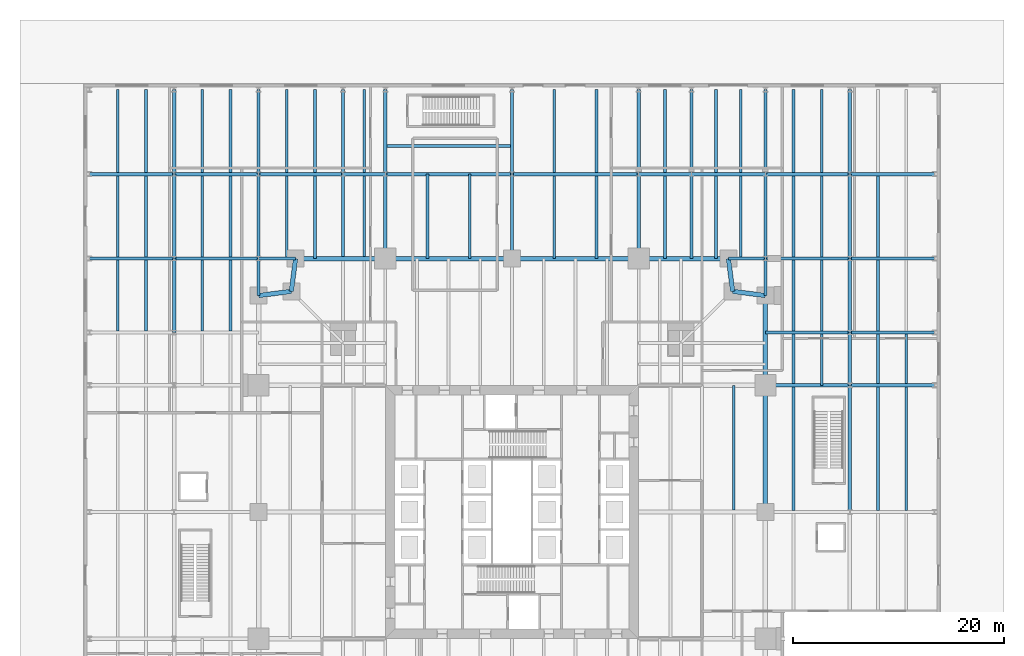
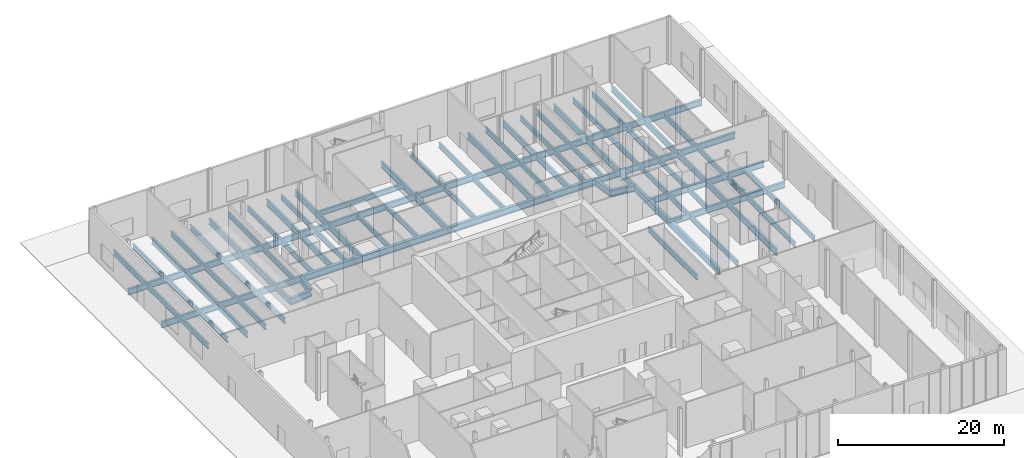
# One storey, part 9 of 20: 101 beams.
"""IFC4 building model written with IfcOpenShell, lengths in metres."""

from ifc_helpers import new_model, si_unit, direction, frame, origin, origin_2d, place, context, subcontext, project, spatial, i_section, extrude, material, material_profile, profile_set, type_object, element, save


model = new_model("IFC4")

# Units and contexts
model_context = context("Model", 3, precision=1e-05, world=origin(), true_north=direction((0.0, 1.0)))
body_context = subcontext(model_context, "Body", "Model", "MODEL_VIEW")
ifc_project = project(units=[si_unit("LENGTHUNIT", "METRE"), si_unit("AREAUNIT", "SQUARE_METRE"), si_unit("VOLUMEUNIT", "CUBIC_METRE"), si_unit("PLANEANGLEUNIT", "RADIAN"), si_unit("MASSUNIT", "GRAM", prefix="KILO")], contexts=[model_context])

# Site, building, storey
site_placement = place(None, origin())
site = spatial("IfcSite", under=ifc_project, at=site_placement, CompositionType="ELEMENT")
building_placement = place(site_placement, origin())
building = spatial("IfcBuilding", under=site, at=building_placement, Name="Fenwick Lantern Interchange", CompositionType="ELEMENT")
storey_placement = place(building_placement, origin())
storey = spatial("IfcBuildingStorey", under=building, at=storey_placement, Name="L00", CompositionType="ELEMENT", Elevation=0.0)

# Beams
ifc_material = material(Name="Steel ASTM A992 Grade 50", Category="steel")
ifc_material_profile_1 = material_profile(ifc_material, i_section(OverallWidth=0.4267578125, OverallDepth=0.975341796875, WebThickness=0.031005859375, FlangeThickness=0.055908203125, at=origin_2d()), Name="W36X395")
ifc_profile_set_1 = profile_set([ifc_material_profile_1], Name="Steel ASTM A992 Grade 50")
beam_type_1 = type_object("IfcBeamType", Name="EDGE BEAM W36X395", PredefinedType="SPANDREL", material=ifc_profile_set_1)
beam_1_placement = place(storey_placement, frame((49.0, 25.0, -0.78759765625), z_axis=(0.0, 1.0, 0.0), x_axis=(-1.0, 0.0, 0.0)))
element("IfcBeam", 1, at=beam_1_placement, inside=storey, type_object=beam_type_1, Name="L00/FR/E/EB3", PredefinedType="SPANDREL", context=body_context, shape_type="SweptSolid", body=[
    extrude(i_section(OverallWidth=0.4267578125, OverallDepth=0.975341796875, WebThickness=0.031005859375, FlangeThickness=0.055908203125, at=origin_2d()), origin(), (0.0, 0.0, 1.0), 12.0),
])
beam_2_placement = place(storey_placement, frame((49.0, 37.0, -0.78759765625), z_axis=(0.0, 1.0, 0.0), x_axis=(-1.0, 0.0, 0.0)))
element("IfcBeam", 2, at=beam_2_placement, inside=storey, type_object=beam_type_1, Name="L00/FR/E/EB4", PredefinedType="SPANDREL", context=body_context, shape_type="SweptSolid", body=[
    extrude(i_section(OverallWidth=0.4267578125, OverallDepth=0.975341796875, WebThickness=0.031005859375, FlangeThickness=0.055908203125, at=origin_2d()), origin(), (0.0, 0.0, 1.0), 8.5),
])
for number, where, z_axis, x_axis, name in (
    (3, (49.0, 45.5, -0.78759765625), (-0.991782342897, 0.127936641807, 0.0), (-0.127936641807, -0.991782342897, 0.0), "L00/FR/E/EBR1"),
    (4, (45.89990234375, 45.89990234375, -0.78759765625), (-0.127936641807, 0.991782342897, 0.0), (-0.991782342897, -0.127936641807, 0.0), "L00/FR/E/EBR2"),
):
    element("IfcBeam", number, at=place(storey_placement, frame(where, z_axis=z_axis, x_axis=x_axis)), inside=storey, type_object=beam_type_1, Name=name, PredefinedType="SPANDREL", context=body_context, shape_type="SweptSolid", body=[
        extrude(i_section(OverallWidth=0.4267578125, OverallDepth=0.975341796875, WebThickness=0.031005859375, FlangeThickness=0.055908203125, at=origin_2d()), origin(), (0.0, 0.0, 1.0), 3.125732421875),
    ])
beam_3_placement = place(storey_placement, frame((45.5, 49.0, -0.78759765625), z_axis=(-1.0, 0.0, 0.0), x_axis=(0.0, -1.0, 0.0)))
element("IfcBeam", 5, at=beam_3_placement, inside=storey, type_object=beam_type_1, Name="L00/FR/N/EB1", PredefinedType="SPANDREL", context=body_context, shape_type="SweptSolid", body=[
    extrude(i_section(OverallWidth=0.4267578125, OverallDepth=0.975341796875, WebThickness=0.031005859375, FlangeThickness=0.055908203125, at=origin_2d()), origin(), (0.0, 0.0, 1.0), 8.5),
])
for number, where, z_axis, x_axis, name in (
    (6, (37.0, 49.0, -0.78759765625), (-1.0, 0.0, 0.0), (0.0, -1.0, 0.0), "L00/FR/N/EB2"),
    (7, (25.0, 49.0, -0.78759765625), (-1.0, 0.0, 0.0), (0.0, -1.0, 0.0), "L00/FR/N/EB3"),
):
    element("IfcBeam", number, at=place(storey_placement, frame(where, z_axis=z_axis, x_axis=x_axis)), inside=storey, type_object=beam_type_1, Name=name, PredefinedType="SPANDREL", context=body_context, shape_type="SweptSolid", body=[
        extrude(i_section(OverallWidth=0.4267578125, OverallDepth=0.975341796875, WebThickness=0.031005859375, FlangeThickness=0.055908203125, at=origin_2d()), origin(), (0.0, 0.0, 1.0), 12.0),
    ])
beam_4_placement = place(storey_placement, frame((13.0, 49.0, -0.78759765625), z_axis=(-1.0, 0.0, 0.0), x_axis=(0.0, -1.0, 0.0)))
element("IfcBeam", 8, at=beam_4_placement, inside=storey, type_object=beam_type_1, Name="L00/FR/N/EB4", PredefinedType="SPANDREL", context=body_context, shape_type="SweptSolid", body=[
    extrude(i_section(OverallWidth=0.4267578125, OverallDepth=0.975341796875, WebThickness=0.031005859375, FlangeThickness=0.055908203125, at=origin_2d()), origin(), (0.0, 0.0, 1.0), 8.5),
])
for number, where, z_axis, x_axis, name in (
    (9, (4.5, 49.0, -0.78759765625), (-0.127936641807, -0.991782342897, 0.0), (0.991782342897, -0.127936641807, 0.0), "L00/FR/N/EBR1"),
    (10, (4.10009765625, 45.89990234375, -0.78759765625), (-0.991782342897, -0.127936641807, 0.0), (0.127936641807, -0.991782342897, 0.0), "L00/FR/N/EBR2"),
):
    element("IfcBeam", number, at=place(storey_placement, frame(where, z_axis=z_axis, x_axis=x_axis)), inside=storey, type_object=beam_type_1, Name=name, PredefinedType="SPANDREL", context=body_context, shape_type="SweptSolid", body=[
        extrude(i_section(OverallWidth=0.4267578125, OverallDepth=0.975341796875, WebThickness=0.031005859375, FlangeThickness=0.055908203125, at=origin_2d()), origin(), (0.0, 0.0, 1.0), 3.125732421875),
    ])
ifc_material_profile_2 = material_profile(ifc_material, i_section(OverallWidth=0.2666015625, OverallDepth=0.77978515625, WebThickness=0.0166015625, FlangeThickness=0.030029296875, at=origin_2d()), Name="W30X148")
ifc_profile_set_2 = profile_set([ifc_material_profile_2], Name="Steel ASTM A992 Grade 50")
beam_type_2 = type_object("IfcBeamType", Name="FLOOR BEAM W30X148", PredefinedType="BEAM", material=ifc_profile_set_2)
beam_5_placement = place(storey_placement, frame((46.0, 25.20458984375, -0.68994140625), z_axis=(0.0, 1.0, 0.0), x_axis=(-1.0, 0.0, 0.0)))
element("IfcBeam", 11, at=beam_5_placement, inside=storey, type_object=beam_type_2, Name="L00/FR/E/B04", PredefinedType="BEAM", context=body_context, shape_type="SweptSolid", body=[
    extrude(i_section(OverallWidth=0.2666015625, OverallDepth=0.77978515625, WebThickness=0.0166015625, FlangeThickness=0.030029296875, at=origin_2d()), origin(), (0.0, 0.0, 1.0), 11.79541015625),
])
ifc_material_profile_3 = material_profile(ifc_material, i_section(OverallWidth=0.3046875, OverallDepth=0.911865234375, WebThickness=0.015869140625, FlangeThickness=0.02392578125, at=origin_2d()), Name="W36X150")
ifc_profile_set_3 = profile_set([ifc_material_profile_3], Name="Steel ASTM A992 Grade 50")
beam_type_3 = type_object("IfcBeamType", Name="MOMENT-CONNECTED PODIUM GIRDER W36X150", PredefinedType="BEAM", material=ifc_profile_set_3)
for number, where, z_axis, x_axis, name in (
    (12, (49.0, 37.0, -0.755859375), (1.0, 0.0, 0.0), (0.0, 1.0, 0.0), "L00/PF/G031"),
    (13, (57.0, 37.0, -0.755859375), (1.0, 0.0, 0.0), (0.0, 1.0, 0.0), "L00/PF/G032"),
    (14, (49.0, 42.0, -0.755859375), (1.0, 0.0, 0.0), (0.0, 1.0, 0.0), "L00/PF/G035"),
    (15, (57.0, 42.0, -0.755859375), (1.0, 0.0, 0.0), (0.0, 1.0, 0.0), "L00/PF/G036"),
    (16, (-15.0, 49.0, -0.755859375), (1.0, 0.0, 0.0), (0.0, 1.0, 0.0), "L00/PF/G037"),
    (17, (-7.0, 49.0, -0.755859375), (1.0, 0.0, 0.0), (0.0, 1.0, 0.0), "L00/PF/G038"),
):
    element("IfcBeam", number, at=place(storey_placement, frame(where, z_axis=z_axis, x_axis=x_axis)), inside=storey, type_object=beam_type_3, Name=name, PredefinedType="BEAM", context=body_context, shape_type="SweptSolid", body=[
        extrude(i_section(OverallWidth=0.3046875, OverallDepth=0.911865234375, WebThickness=0.015869140625, FlangeThickness=0.02392578125, at=origin_2d()), origin(), (0.0, 0.0, 1.0), 8.0),
    ])
for number, where, z_axis, x_axis, name in (
    (18, (1.0, 49.0, -0.755859375), (1.0, 0.0, 0.0), (0.0, 1.0, 0.0), "L00/PF/G039"),
    (19, (45.5, 49.0, -0.755859375), (1.0, 0.0, 0.0), (0.0, 1.0, 0.0), "L00/PF/G040"),
):
    element("IfcBeam", number, at=place(storey_placement, frame(where, z_axis=z_axis, x_axis=x_axis)), inside=storey, type_object=beam_type_3, Name=name, PredefinedType="BEAM", context=body_context, shape_type="SweptSolid", body=[
        extrude(i_section(OverallWidth=0.3046875, OverallDepth=0.911865234375, WebThickness=0.015869140625, FlangeThickness=0.02392578125, at=origin_2d()), origin(), (0.0, 0.0, 1.0), 3.5),
    ])
for number, where, z_axis, x_axis, name in (
    (20, (49.0, 49.0, -0.755859375), (1.0, 0.0, 0.0), (0.0, 1.0, 0.0), "L00/PF/G041"),
    (21, (57.0, 49.0, -0.755859375), (1.0, 0.0, 0.0), (0.0, 1.0, 0.0), "L00/PF/G042"),
    (22, (-15.0, 57.0, -0.755859375), (1.0, 0.0, 0.0), (0.0, 1.0, 0.0), "L00/PF/G043"),
    (23, (-7.0, 57.0, -0.755859375), (1.0, 0.0, 0.0), (0.0, 1.0, 0.0), "L00/PF/G044"),
    (24, (1.0, 57.0, -0.755859375), (1.0, 0.0, 0.0), (0.0, 1.0, 0.0), "L00/PF/G045"),
):
    element("IfcBeam", number, at=place(storey_placement, frame(where, z_axis=z_axis, x_axis=x_axis)), inside=storey, type_object=beam_type_3, Name=name, PredefinedType="BEAM", context=body_context, shape_type="SweptSolid", body=[
        extrude(i_section(OverallWidth=0.3046875, OverallDepth=0.911865234375, WebThickness=0.015869140625, FlangeThickness=0.02392578125, at=origin_2d()), origin(), (0.0, 0.0, 1.0), 8.0),
    ])
beam_6_placement = place(storey_placement, frame((9.0, 57.0, -0.755859375), z_axis=(1.0, 0.0, 0.0), x_axis=(0.0, 1.0, 0.0)))
element("IfcBeam", 25, at=beam_6_placement, inside=storey, type_object=beam_type_3, Name="L00/PF/G046", PredefinedType="BEAM", context=body_context, shape_type="SweptSolid", body=[
    extrude(i_section(OverallWidth=0.3046875, OverallDepth=0.911865234375, WebThickness=0.015869140625, FlangeThickness=0.02392578125, at=origin_2d()), origin(), (0.0, 0.0, 1.0), 4.0),
])
beam_7_placement = place(storey_placement, frame((37.0, 57.0, -0.755859375), z_axis=(1.0, 0.0, 0.0), x_axis=(0.0, 1.0, 0.0)))
element("IfcBeam", 26, at=beam_7_placement, inside=storey, type_object=beam_type_3, Name="L00/PF/G049", PredefinedType="BEAM", context=body_context, shape_type="SweptSolid", body=[
    extrude(i_section(OverallWidth=0.3046875, OverallDepth=0.911865234375, WebThickness=0.015869140625, FlangeThickness=0.02392578125, at=origin_2d()), origin(), (0.0, 0.0, 1.0), 5.0),
])
beam_8_placement = place(storey_placement, frame((42.0, 57.0, -0.755859375), z_axis=(1.0, 0.0, 0.0), x_axis=(0.0, 1.0, 0.0)))
element("IfcBeam", 27, at=beam_8_placement, inside=storey, type_object=beam_type_3, Name="L00/PF/G050", PredefinedType="BEAM", context=body_context, shape_type="SweptSolid", body=[
    extrude(i_section(OverallWidth=0.3046875, OverallDepth=0.911865234375, WebThickness=0.015869140625, FlangeThickness=0.02392578125, at=origin_2d()), origin(), (0.0, 0.0, 1.0), 7.0),
])
for number, where, z_axis, x_axis, name in (
    (28, (49.0, 57.0, -0.755859375), (1.0, 0.0, 0.0), (0.0, 1.0, 0.0), "L00/PF/G051"),
    (29, (57.0, 57.0, -0.755859375), (1.0, 0.0, 0.0), (0.0, 1.0, 0.0), "L00/PF/G052"),
):
    element("IfcBeam", number, at=place(storey_placement, frame(where, z_axis=z_axis, x_axis=x_axis)), inside=storey, type_object=beam_type_3, Name=name, PredefinedType="BEAM", context=body_context, shape_type="SweptSolid", body=[
        extrude(i_section(OverallWidth=0.3046875, OverallDepth=0.911865234375, WebThickness=0.015869140625, FlangeThickness=0.02392578125, at=origin_2d()), origin(), (0.0, 0.0, 1.0), 8.0),
    ])
beam_9_placement = place(storey_placement, frame((-7.0, 42.0, -0.755859375), z_axis=(0.0, 1.0, 0.0), x_axis=(-1.0, 0.0, 0.0)))
element("IfcBeam", 30, at=beam_9_placement, inside=storey, type_object=beam_type_3, Name="L00/PF/G060", PredefinedType="BEAM", context=body_context, shape_type="SweptSolid", body=[
    extrude(i_section(OverallWidth=0.3046875, OverallDepth=0.911865234375, WebThickness=0.015869140625, FlangeThickness=0.02392578125, at=origin_2d()), origin(), (0.0, 0.0, 1.0), 7.0),
])
for number, where, z_axis, x_axis, name in (
    (31, (-7.0, 49.0, -0.755859375), (0.0, 1.0, 0.0), (-1.0, 0.0, 0.0), "L00/PF/G061"),
    (32, (-7.0, 57.0, -0.755859375), (0.0, 1.0, 0.0), (-1.0, 0.0, 0.0), "L00/PF/G062"),
):
    element("IfcBeam", number, at=place(storey_placement, frame(where, z_axis=z_axis, x_axis=x_axis)), inside=storey, type_object=beam_type_3, Name=name, PredefinedType="BEAM", context=body_context, shape_type="SweptSolid", body=[
        extrude(i_section(OverallWidth=0.3046875, OverallDepth=0.911865234375, WebThickness=0.015869140625, FlangeThickness=0.02392578125, at=origin_2d()), origin(), (0.0, 0.0, 1.0), 8.0),
    ])
beam_10_placement = place(storey_placement, frame((1.0, 45.5, -0.755859375), z_axis=(0.0, 1.0, 0.0), x_axis=(-1.0, 0.0, 0.0)))
element("IfcBeam", 33, at=beam_10_placement, inside=storey, type_object=beam_type_3, Name="L00/PF/G066", PredefinedType="BEAM", context=body_context, shape_type="SweptSolid", body=[
    extrude(i_section(OverallWidth=0.3046875, OverallDepth=0.911865234375, WebThickness=0.015869140625, FlangeThickness=0.02392578125, at=origin_2d()), origin(), (0.0, 0.0, 1.0), 3.5),
])
for number, where, z_axis, x_axis, name in (
    (34, (1.0, 49.0, -0.755859375), (0.0, 1.0, 0.0), (-1.0, 0.0, 0.0), "L00/PF/G067"),
    (35, (1.0, 57.0, -0.755859375), (0.0, 1.0, 0.0), (-1.0, 0.0, 0.0), "L00/PF/G068"),
):
    element("IfcBeam", number, at=place(storey_placement, frame(where, z_axis=z_axis, x_axis=x_axis)), inside=storey, type_object=beam_type_3, Name=name, PredefinedType="BEAM", context=body_context, shape_type="SweptSolid", body=[
        extrude(i_section(OverallWidth=0.3046875, OverallDepth=0.911865234375, WebThickness=0.015869140625, FlangeThickness=0.02392578125, at=origin_2d()), origin(), (0.0, 0.0, 1.0), 8.0),
    ])
beam_11_placement = place(storey_placement, frame((9.0, 49.21337890625, -0.755859375), z_axis=(0.0, 1.0, 0.0), x_axis=(-1.0, 0.0, 0.0)))
element("IfcBeam", 36, at=beam_11_placement, inside=storey, type_object=beam_type_3, Name="L00/PF/G071", PredefinedType="BEAM", context=body_context, shape_type="SweptSolid", body=[
    extrude(i_section(OverallWidth=0.3046875, OverallDepth=0.911865234375, WebThickness=0.015869140625, FlangeThickness=0.02392578125, at=origin_2d()), origin(), (0.0, 0.0, 1.0), 7.78662109375),
])
for number, where, z_axis, x_axis, name in (
    (37, (9.0, 57.0, -0.755859375), (0.0, 1.0, 0.0), (-1.0, 0.0, 0.0), "L00/PF/G072"),
    (38, (13.0, 49.0, -0.755859375), (0.0, 1.0, 0.0), (-1.0, 0.0, 0.0), "L00/PF/G075"),
    (39, (13.0, 57.0, -0.755859375), (0.0, 1.0, 0.0), (-1.0, 0.0, 0.0), "L00/PF/G076"),
    (40, (25.0, 49.0, -0.755859375), (0.0, 1.0, 0.0), (-1.0, 0.0, 0.0), "L00/PF/G079"),
    (41, (25.0, 57.0, -0.755859375), (0.0, 1.0, 0.0), (-1.0, 0.0, 0.0), "L00/PF/G080"),
    (42, (37.0, 49.0, -0.755859375), (0.0, 1.0, 0.0), (-1.0, 0.0, 0.0), "L00/PF/G083"),
    (43, (37.0, 57.0, -0.755859375), (0.0, 1.0, 0.0), (-1.0, 0.0, 0.0), "L00/PF/G084"),
    (44, (42.0, 49.0, -0.755859375), (0.0, 1.0, 0.0), (-1.0, 0.0, 0.0), "L00/PF/G087"),
    (45, (42.0, 57.0, -0.755859375), (0.0, 1.0, 0.0), (-1.0, 0.0, 0.0), "L00/PF/G088"),
):
    element("IfcBeam", number, at=place(storey_placement, frame(where, z_axis=z_axis, x_axis=x_axis)), inside=storey, type_object=beam_type_3, Name=name, PredefinedType="BEAM", context=body_context, shape_type="SweptSolid", body=[
        extrude(i_section(OverallWidth=0.3046875, OverallDepth=0.911865234375, WebThickness=0.015869140625, FlangeThickness=0.02392578125, at=origin_2d()), origin(), (0.0, 0.0, 1.0), 8.0),
    ])
beam_12_placement = place(storey_placement, frame((49.0, 45.5, -0.755859375), z_axis=(0.0, 1.0, 0.0), x_axis=(-1.0, 0.0, 0.0)))
element("IfcBeam", 46, at=beam_12_placement, inside=storey, type_object=beam_type_3, Name="L00/PF/G092", PredefinedType="BEAM", context=body_context, shape_type="SweptSolid", body=[
    extrude(i_section(OverallWidth=0.3046875, OverallDepth=0.911865234375, WebThickness=0.015869140625, FlangeThickness=0.02392578125, at=origin_2d()), origin(), (0.0, 0.0, 1.0), 3.5),
])
for number, where, z_axis, x_axis, name in (
    (47, (49.0, 49.0, -0.755859375), (0.0, 1.0, 0.0), (-1.0, 0.0, 0.0), "L00/PF/G093"),
    (48, (49.0, 57.0, -0.755859375), (0.0, 1.0, 0.0), (-1.0, 0.0, 0.0), "L00/PF/G094"),
):
    element("IfcBeam", number, at=place(storey_placement, frame(where, z_axis=z_axis, x_axis=x_axis)), inside=storey, type_object=beam_type_3, Name=name, PredefinedType="BEAM", context=body_context, shape_type="SweptSolid", body=[
        extrude(i_section(OverallWidth=0.3046875, OverallDepth=0.911865234375, WebThickness=0.015869140625, FlangeThickness=0.02392578125, at=origin_2d()), origin(), (0.0, 0.0, 1.0), 8.0),
    ])
beam_13_placement = place(storey_placement, frame((57.0, 37.0, -0.755859375), z_axis=(0.0, 1.0, 0.0), x_axis=(-1.0, 0.0, 0.0)))
element("IfcBeam", 49, at=beam_13_placement, inside=storey, type_object=beam_type_3, Name="L00/PF/G101", PredefinedType="BEAM", context=body_context, shape_type="SweptSolid", body=[
    extrude(i_section(OverallWidth=0.3046875, OverallDepth=0.911865234375, WebThickness=0.015869140625, FlangeThickness=0.02392578125, at=origin_2d()), origin(), (0.0, 0.0, 1.0), 5.0),
])
beam_14_placement = place(storey_placement, frame((57.0, 42.0, -0.755859375), z_axis=(0.0, 1.0, 0.0), x_axis=(-1.0, 0.0, 0.0)))
element("IfcBeam", 50, at=beam_14_placement, inside=storey, type_object=beam_type_3, Name="L00/PF/G102", PredefinedType="BEAM", context=body_context, shape_type="SweptSolid", body=[
    extrude(i_section(OverallWidth=0.3046875, OverallDepth=0.911865234375, WebThickness=0.015869140625, FlangeThickness=0.02392578125, at=origin_2d()), origin(), (0.0, 0.0, 1.0), 7.0),
])
for number, where, z_axis, x_axis, name in (
    (51, (57.0, 49.0, -0.755859375), (0.0, 1.0, 0.0), (-1.0, 0.0, 0.0), "L00/PF/G103"),
    (52, (57.0, 57.0, -0.755859375), (0.0, 1.0, 0.0), (-1.0, 0.0, 0.0), "L00/PF/G104"),
):
    element("IfcBeam", number, at=place(storey_placement, frame(where, z_axis=z_axis, x_axis=x_axis)), inside=storey, type_object=beam_type_3, Name=name, PredefinedType="BEAM", context=body_context, shape_type="SweptSolid", body=[
        extrude(i_section(OverallWidth=0.3046875, OverallDepth=0.911865234375, WebThickness=0.015869140625, FlangeThickness=0.02392578125, at=origin_2d()), origin(), (0.0, 0.0, 1.0), 8.0),
    ])
ifc_material_profile_4 = material_profile(ifc_material, i_section(OverallWidth=0.307373046875, OverallDepth=0.927001953125, WebThickness=0.01953125, FlangeThickness=0.031982421875, at=origin_2d()), Name="W36X194")
ifc_profile_set_4 = profile_set([ifc_material_profile_4], Name="Steel ASTM A992 Grade 50")
beam_type_4 = type_object("IfcBeamType", Name="MOMENT-CONNECTED PODIUM GIRDER W36X194", PredefinedType="BEAM", material=ifc_profile_set_4)
for number, where, z_axis, x_axis, name in (
    (53, (13.0, 57.0, -0.763671875), (1.0, 0.0, 0.0), (0.0, 1.0, 0.0), "L00/PF/G047"),
    (54, (25.0, 57.0, -0.763671875), (1.0, 0.0, 0.0), (0.0, 1.0, 0.0), "L00/PF/G048"),
    (55, (57.0, 25.0, -0.763671875), (0.0, 1.0, 0.0), (-1.0, 0.0, 0.0), "L00/PF/G100"),
):
    element("IfcBeam", number, at=place(storey_placement, frame(where, z_axis=z_axis, x_axis=x_axis)), inside=storey, type_object=beam_type_4, Name=name, PredefinedType="BEAM", context=body_context, shape_type="SweptSolid", body=[
        extrude(i_section(OverallWidth=0.307373046875, OverallDepth=0.927001953125, WebThickness=0.01953125, FlangeThickness=0.031982421875, at=origin_2d()), origin(), (0.0, 0.0, 1.0), 12.0),
    ])
ifc_material_profile_5 = material_profile(ifc_material, i_section(OverallWidth=0.2666015625, OverallDepth=0.77978515625, WebThickness=0.0166015625, FlangeThickness=0.030029296875, at=origin_2d()), Name="W30X148")
ifc_profile_set_5 = profile_set([ifc_material_profile_5], Name="Steel ASTM A992 Grade 50")
beam_type_5 = type_object("IfcBeamType", Name="PODIUM BEAM W30X148", PredefinedType="JOIST", material=ifc_profile_set_5)
for number, where, z_axis, x_axis, name in (
    (56, (-12.333251953125, 42.15234375, -0.68994140625), (0.0, 1.0, 0.0), (-1.0, 0.0, 0.0), "L00/PF/J119"),
    (57, (-9.666748046875, 42.15234375, -0.68994140625), (0.0, 1.0, 0.0), (-1.0, 0.0, 0.0), "L00/PF/J120"),
):
    element("IfcBeam", number, at=place(storey_placement, frame(where, z_axis=z_axis, x_axis=x_axis)), inside=storey, type_object=beam_type_5, Name=name, PredefinedType="JOIST", context=body_context, shape_type="SweptSolid", body=[
        extrude(i_section(OverallWidth=0.2666015625, OverallDepth=0.77978515625, WebThickness=0.0166015625, FlangeThickness=0.030029296875, at=origin_2d()), origin(), (0.0, 0.0, 1.0), 6.6953125),
    ])
for number, where, z_axis, x_axis, name in (
    (58, (-12.333251953125, 49.15234375, -0.68994140625), (0.0, 1.0, 0.0), (-1.0, 0.0, 0.0), "L00/PF/J121"),
    (59, (-9.666748046875, 49.15234375, -0.68994140625), (0.0, 1.0, 0.0), (-1.0, 0.0, 0.0), "L00/PF/J122"),
):
    element("IfcBeam", number, at=place(storey_placement, frame(where, z_axis=z_axis, x_axis=x_axis)), inside=storey, type_object=beam_type_5, Name=name, PredefinedType="JOIST", context=body_context, shape_type="SweptSolid", body=[
        extrude(i_section(OverallWidth=0.2666015625, OverallDepth=0.77978515625, WebThickness=0.0166015625, FlangeThickness=0.030029296875, at=origin_2d()), origin(), (0.0, 0.0, 1.0), 7.6953125),
    ])
for number, where, z_axis, x_axis, name in (
    (60, (-12.333251953125, 57.15234375, -0.68994140625), (0.0, 1.0, 0.0), (-1.0, 0.0, 0.0), "L00/PF/J123"),
    (61, (-9.666748046875, 57.15234375, -0.68994140625), (0.0, 1.0, 0.0), (-1.0, 0.0, 0.0), "L00/PF/J124"),
):
    element("IfcBeam", number, at=place(storey_placement, frame(where, z_axis=z_axis, x_axis=x_axis)), inside=storey, type_object=beam_type_5, Name=name, PredefinedType="JOIST", context=body_context, shape_type="SweptSolid", body=[
        extrude(i_section(OverallWidth=0.2666015625, OverallDepth=0.77978515625, WebThickness=0.0166015625, FlangeThickness=0.030029296875, at=origin_2d()), origin(), (0.0, 0.0, 1.0), 7.84765625),
    ])
for number, where, z_axis, x_axis, name in (
    (62, (-4.333251953125, 42.15234375, -0.68994140625), (0.0, 1.0, 0.0), (-1.0, 0.0, 0.0), "L00/PF/J137"),
    (63, (-1.666748046875, 42.15234375, -0.68994140625), (0.0, 1.0, 0.0), (-1.0, 0.0, 0.0), "L00/PF/J138"),
):
    element("IfcBeam", number, at=place(storey_placement, frame(where, z_axis=z_axis, x_axis=x_axis)), inside=storey, type_object=beam_type_5, Name=name, PredefinedType="JOIST", context=body_context, shape_type="SweptSolid", body=[
        extrude(i_section(OverallWidth=0.2666015625, OverallDepth=0.77978515625, WebThickness=0.0166015625, FlangeThickness=0.030029296875, at=origin_2d()), origin(), (0.0, 0.0, 1.0), 6.6953125),
    ])
for number, where, z_axis, x_axis, name in (
    (64, (-4.333251953125, 49.15234375, -0.68994140625), (0.0, 1.0, 0.0), (-1.0, 0.0, 0.0), "L00/PF/J139"),
    (65, (-1.666748046875, 49.15234375, -0.68994140625), (0.0, 1.0, 0.0), (-1.0, 0.0, 0.0), "L00/PF/J140"),
):
    element("IfcBeam", number, at=place(storey_placement, frame(where, z_axis=z_axis, x_axis=x_axis)), inside=storey, type_object=beam_type_5, Name=name, PredefinedType="JOIST", context=body_context, shape_type="SweptSolid", body=[
        extrude(i_section(OverallWidth=0.2666015625, OverallDepth=0.77978515625, WebThickness=0.0166015625, FlangeThickness=0.030029296875, at=origin_2d()), origin(), (0.0, 0.0, 1.0), 7.6953125),
    ])
for number, where, z_axis, x_axis, name in (
    (66, (-4.333251953125, 57.15234375, -0.68994140625), (0.0, 1.0, 0.0), (-1.0, 0.0, 0.0), "L00/PF/J141"),
    (67, (-1.666748046875, 57.15234375, -0.68994140625), (0.0, 1.0, 0.0), (-1.0, 0.0, 0.0), "L00/PF/J142"),
    (68, (3.666748046875, 49.0, -0.68994140625), (0.0, 1.0, 0.0), (-1.0, 0.0, 0.0), "L00/PF/J147"),
    (69, (6.333251953125, 49.0, -0.68994140625), (0.0, 1.0, 0.0), (-1.0, 0.0, 0.0), "L00/PF/J148"),
    (70, (3.666748046875, 57.15234375, -0.68994140625), (0.0, 1.0, 0.0), (-1.0, 0.0, 0.0), "L00/PF/J149"),
    (71, (6.333251953125, 57.15234375, -0.68994140625), (0.0, 1.0, 0.0), (-1.0, 0.0, 0.0), "L00/PF/J150"),
):
    element("IfcBeam", number, at=place(storey_placement, frame(where, z_axis=z_axis, x_axis=x_axis)), inside=storey, type_object=beam_type_5, Name=name, PredefinedType="JOIST", context=body_context, shape_type="SweptSolid", body=[
        extrude(i_section(OverallWidth=0.2666015625, OverallDepth=0.77978515625, WebThickness=0.0166015625, FlangeThickness=0.030029296875, at=origin_2d()), origin(), (0.0, 0.0, 1.0), 7.84765625),
    ])
beam_15_placement = place(storey_placement, frame((11.0, 49.21337890625, -0.68994140625), z_axis=(0.0, 1.0, 0.0), x_axis=(-1.0, 0.0, 0.0)))
element("IfcBeam", 72, at=beam_15_placement, inside=storey, type_object=beam_type_5, Name="L00/PF/J153", PredefinedType="JOIST", context=body_context, shape_type="SweptSolid", body=[
    extrude(i_section(OverallWidth=0.2666015625, OverallDepth=0.77978515625, WebThickness=0.0166015625, FlangeThickness=0.030029296875, at=origin_2d()), origin(), (0.0, 0.0, 1.0), 7.63427734375),
])
beam_16_placement = place(storey_placement, frame((11.0, 57.15234375, -0.68994140625), z_axis=(0.0, 1.0, 0.0), x_axis=(-1.0, 0.0, 0.0)))
element("IfcBeam", 73, at=beam_16_placement, inside=storey, type_object=beam_type_5, Name="L00/PF/J154", PredefinedType="JOIST", context=body_context, shape_type="SweptSolid", body=[
    extrude(i_section(OverallWidth=0.2666015625, OverallDepth=0.77978515625, WebThickness=0.0166015625, FlangeThickness=0.030029296875, at=origin_2d()), origin(), (0.0, 0.0, 1.0), 7.84765625),
])
for number, where, z_axis, x_axis, name in (
    (74, (17.0, 49.0, -0.68994140625), (0.0, 1.0, 0.0), (-1.0, 0.0, 0.0), "L00/PF/J158"),
    (75, (21.0, 49.0, -0.68994140625), (0.0, 1.0, 0.0), (-1.0, 0.0, 0.0), "L00/PF/J159"),
):
    element("IfcBeam", number, at=place(storey_placement, frame(where, z_axis=z_axis, x_axis=x_axis)), inside=storey, type_object=beam_type_5, Name=name, PredefinedType="JOIST", context=body_context, shape_type="SweptSolid", body=[
        extrude(i_section(OverallWidth=0.2666015625, OverallDepth=0.77978515625, WebThickness=0.0166015625, FlangeThickness=0.030029296875, at=origin_2d()), origin(), (0.0, 0.0, 1.0), 8.0),
    ])
beam_17_placement = place(storey_placement, frame((13.0, 59.666748046875, -0.68994140625), z_axis=(1.0, 0.0, 0.0), x_axis=(0.0, 1.0, 0.0)))
element("IfcBeam", 76, at=beam_17_placement, inside=storey, type_object=beam_type_5, Name="L00/PF/J160", PredefinedType="JOIST", context=body_context, shape_type="SweptSolid", body=[
    extrude(i_section(OverallWidth=0.2666015625, OverallDepth=0.77978515625, WebThickness=0.0166015625, FlangeThickness=0.030029296875, at=origin_2d()), origin(), (0.0, 0.0, 1.0), 12.0),
])
for number, where, z_axis, x_axis, name in (
    (77, (29.0, 49.0, -0.68994140625), (0.0, 1.0, 0.0), (-1.0, 0.0, 0.0), "L00/PF/J165"),
    (78, (33.0, 49.0, -0.68994140625), (0.0, 1.0, 0.0), (-1.0, 0.0, 0.0), "L00/PF/J166"),
    (79, (29.0, 57.153564453125, -0.68994140625), (0.0, 1.0, 0.0), (-1.0, 0.0, 0.0), "L00/PF/J167"),
    (80, (33.0, 57.153564453125, -0.68994140625), (0.0, 1.0, 0.0), (-1.0, 0.0, 0.0), "L00/PF/J168"),
):
    element("IfcBeam", number, at=place(storey_placement, frame(where, z_axis=z_axis, x_axis=x_axis)), inside=storey, type_object=beam_type_5, Name=name, PredefinedType="JOIST", context=body_context, shape_type="SweptSolid", body=[
        extrude(i_section(OverallWidth=0.2666015625, OverallDepth=0.77978515625, WebThickness=0.0166015625, FlangeThickness=0.030029296875, at=origin_2d()), origin(), (0.0, 0.0, 1.0), 7.846435546875),
    ])
for number, where, z_axis, x_axis, name in (
    (81, (39.5, 49.0, -0.68994140625), (0.0, 1.0, 0.0), (-1.0, 0.0, 0.0), "L00/PF/J171"),
    (82, (39.5, 57.15234375, -0.68994140625), (0.0, 1.0, 0.0), (-1.0, 0.0, 0.0), "L00/PF/J172"),
    (83, (44.333251953125, 49.0, -0.68994140625), (0.0, 1.0, 0.0), (-1.0, 0.0, 0.0), "L00/PF/J177"),
    (84, (46.666748046875, 49.0, -0.68994140625), (0.0, 1.0, 0.0), (-1.0, 0.0, 0.0), "L00/PF/J178"),
    (85, (44.333251953125, 57.15234375, -0.68994140625), (0.0, 1.0, 0.0), (-1.0, 0.0, 0.0), "L00/PF/J179"),
    (86, (46.666748046875, 57.15234375, -0.68994140625), (0.0, 1.0, 0.0), (-1.0, 0.0, 0.0), "L00/PF/J180"),
):
    element("IfcBeam", number, at=place(storey_placement, frame(where, z_axis=z_axis, x_axis=x_axis)), inside=storey, type_object=beam_type_5, Name=name, PredefinedType="JOIST", context=body_context, shape_type="SweptSolid", body=[
        extrude(i_section(OverallWidth=0.2666015625, OverallDepth=0.77978515625, WebThickness=0.0166015625, FlangeThickness=0.030029296875, at=origin_2d()), origin(), (0.0, 0.0, 1.0), 7.84765625),
    ])
beam_18_placement = place(storey_placement, frame((51.666748046875, 25.15234375, -0.68994140625), z_axis=(0.0, 1.0, 0.0), x_axis=(-1.0, 0.0, 0.0)))
element("IfcBeam", 87, at=beam_18_placement, inside=storey, type_object=beam_type_5, Name="L00/PF/J190", PredefinedType="JOIST", context=body_context, shape_type="SweptSolid", body=[
    extrude(i_section(OverallWidth=0.2666015625, OverallDepth=0.77978515625, WebThickness=0.0166015625, FlangeThickness=0.030029296875, at=origin_2d()), origin(), (0.0, 0.0, 1.0), 11.6953125),
])
beam_19_placement = place(storey_placement, frame((51.666748046875, 37.15234375, -0.68994140625), z_axis=(0.0, 1.0, 0.0), x_axis=(-1.0, 0.0, 0.0)))
element("IfcBeam", 88, at=beam_19_placement, inside=storey, type_object=beam_type_5, Name="L00/PF/J191", PredefinedType="JOIST", context=body_context, shape_type="SweptSolid", body=[
    extrude(i_section(OverallWidth=0.2666015625, OverallDepth=0.77978515625, WebThickness=0.0166015625, FlangeThickness=0.030029296875, at=origin_2d()), origin(), (0.0, 0.0, 1.0), 4.6953125),
])
beam_20_placement = place(storey_placement, frame((54.333251953125, 37.0, -0.68994140625), z_axis=(0.0, 1.0, 0.0), x_axis=(-1.0, 0.0, 0.0)))
element("IfcBeam", 89, at=beam_20_placement, inside=storey, type_object=beam_type_5, Name="L00/PF/J192", PredefinedType="JOIST", context=body_context, shape_type="SweptSolid", body=[
    extrude(i_section(OverallWidth=0.2666015625, OverallDepth=0.77978515625, WebThickness=0.0166015625, FlangeThickness=0.030029296875, at=origin_2d()), origin(), (0.0, 0.0, 1.0), 4.84765625),
])
for number, where, z_axis, x_axis, name in (
    (90, (51.666748046875, 42.15234375, -0.68994140625), (0.0, 1.0, 0.0), (-1.0, 0.0, 0.0), "L00/PF/J193"),
    (91, (54.333251953125, 42.15234375, -0.68994140625), (0.0, 1.0, 0.0), (-1.0, 0.0, 0.0), "L00/PF/J194"),
):
    element("IfcBeam", number, at=place(storey_placement, frame(where, z_axis=z_axis, x_axis=x_axis)), inside=storey, type_object=beam_type_5, Name=name, PredefinedType="JOIST", context=body_context, shape_type="SweptSolid", body=[
        extrude(i_section(OverallWidth=0.2666015625, OverallDepth=0.77978515625, WebThickness=0.0166015625, FlangeThickness=0.030029296875, at=origin_2d()), origin(), (0.0, 0.0, 1.0), 6.6953125),
    ])
for number, where, z_axis, x_axis, name in (
    (92, (51.666748046875, 49.15234375, -0.68994140625), (0.0, 1.0, 0.0), (-1.0, 0.0, 0.0), "L00/PF/J195"),
    (93, (54.333251953125, 49.15234375, -0.68994140625), (0.0, 1.0, 0.0), (-1.0, 0.0, 0.0), "L00/PF/J196"),
):
    element("IfcBeam", number, at=place(storey_placement, frame(where, z_axis=z_axis, x_axis=x_axis)), inside=storey, type_object=beam_type_5, Name=name, PredefinedType="JOIST", context=body_context, shape_type="SweptSolid", body=[
        extrude(i_section(OverallWidth=0.2666015625, OverallDepth=0.77978515625, WebThickness=0.0166015625, FlangeThickness=0.030029296875, at=origin_2d()), origin(), (0.0, 0.0, 1.0), 7.6953125),
    ])
for number, where, z_axis, x_axis, name in (
    (94, (51.666748046875, 57.15234375, -0.68994140625), (0.0, 1.0, 0.0), (-1.0, 0.0, 0.0), "L00/PF/J197"),
    (95, (54.333251953125, 57.15234375, -0.68994140625), (0.0, 1.0, 0.0), (-1.0, 0.0, 0.0), "L00/PF/J198"),
):
    element("IfcBeam", number, at=place(storey_placement, frame(where, z_axis=z_axis, x_axis=x_axis)), inside=storey, type_object=beam_type_5, Name=name, PredefinedType="JOIST", context=body_context, shape_type="SweptSolid", body=[
        extrude(i_section(OverallWidth=0.2666015625, OverallDepth=0.77978515625, WebThickness=0.0166015625, FlangeThickness=0.030029296875, at=origin_2d()), origin(), (0.0, 0.0, 1.0), 7.84765625),
    ])
for number, where, z_axis, x_axis, name in (
    (96, (59.666748046875, 25.15234375, -0.68994140625), (0.0, 1.0, 0.0), (-1.0, 0.0, 0.0), "L00/PF/J209"),
    (97, (62.333251953125, 25.15234375, -0.68994140625), (0.0, 1.0, 0.0), (-1.0, 0.0, 0.0), "L00/PF/J210"),
):
    element("IfcBeam", number, at=place(storey_placement, frame(where, z_axis=z_axis, x_axis=x_axis)), inside=storey, type_object=beam_type_5, Name=name, PredefinedType="JOIST", context=body_context, shape_type="SweptSolid", body=[
        extrude(i_section(OverallWidth=0.2666015625, OverallDepth=0.77978515625, WebThickness=0.0166015625, FlangeThickness=0.030029296875, at=origin_2d()), origin(), (0.0, 0.0, 1.0), 11.6953125),
    ])
for number, where, z_axis, x_axis, name in (
    (98, (59.666748046875, 37.15234375, -0.68994140625), (0.0, 1.0, 0.0), (-1.0, 0.0, 0.0), "L00/PF/J211"),
    (99, (62.333251953125, 37.15234375, -0.68994140625), (0.0, 1.0, 0.0), (-1.0, 0.0, 0.0), "L00/PF/J212"),
):
    element("IfcBeam", number, at=place(storey_placement, frame(where, z_axis=z_axis, x_axis=x_axis)), inside=storey, type_object=beam_type_5, Name=name, PredefinedType="JOIST", context=body_context, shape_type="SweptSolid", body=[
        extrude(i_section(OverallWidth=0.2666015625, OverallDepth=0.77978515625, WebThickness=0.0166015625, FlangeThickness=0.030029296875, at=origin_2d()), origin(), (0.0, 0.0, 1.0), 4.6953125),
    ])
beam_21_placement = place(storey_placement, frame((59.666748046875, 42.15234375, -0.68994140625), z_axis=(0.0, 1.0, 0.0), x_axis=(-1.0, 0.0, 0.0)))
element("IfcBeam", 100, at=beam_21_placement, inside=storey, type_object=beam_type_5, Name="L00/PF/J213", PredefinedType="JOIST", context=body_context, shape_type="SweptSolid", body=[
    extrude(i_section(OverallWidth=0.2666015625, OverallDepth=0.77978515625, WebThickness=0.0166015625, FlangeThickness=0.030029296875, at=origin_2d()), origin(), (0.0, 0.0, 1.0), 6.6953125),
])
beam_22_placement = place(storey_placement, frame((59.666748046875, 49.15234375, -0.68994140625), z_axis=(0.0, 1.0, 0.0), x_axis=(-1.0, 0.0, 0.0)))
element("IfcBeam", 101, at=beam_22_placement, inside=storey, type_object=beam_type_5, Name="L00/PF/J215", PredefinedType="JOIST", context=body_context, shape_type="SweptSolid", body=[
    extrude(i_section(OverallWidth=0.2666015625, OverallDepth=0.77978515625, WebThickness=0.0166015625, FlangeThickness=0.030029296875, at=origin_2d()), origin(), (0.0, 0.0, 1.0), 7.6953125),
])

save(model, "model.ifc")
